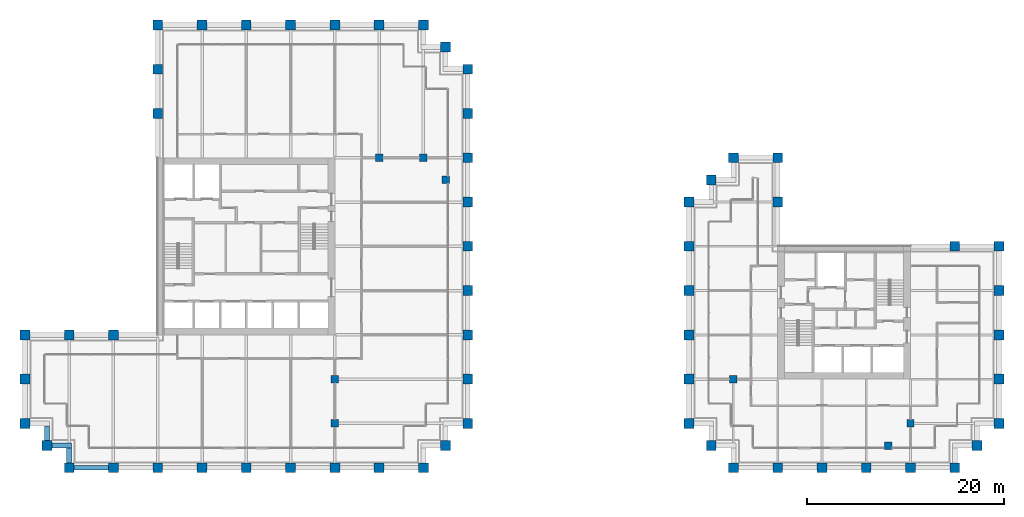
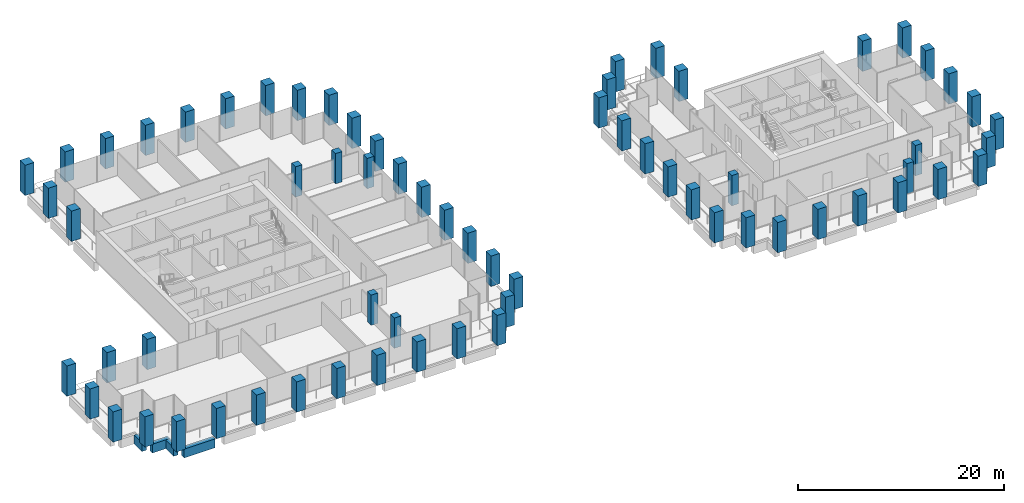
# One storey, part 1 of 47: 67 columns, 4 beams.
"""IFC4 building model written with IfcOpenShell, lengths in metres."""

import ifcopenshell
import ifcopenshell.guid

model = None  # the IFC model being written
_history = None  # IfcOwnerHistory: only IFC2X3 demands one
_inside = {}  # id of a spatial element -> (the spatial element, [elements in it])
_under = {}  # id of a project, library or spatial element -> (it, [spatial elements below it])
_declared = {}  # id of a project -> (the project, [libraries it declares])
_typed = {}  # id of a type object -> (the type object, [elements of that type])
_made_of = {}  # id of a material, layer set ... -> (it, [elements and type objects made of it])


def new_model(schema):
    """Start an empty IFC model of exactly this schema.

    Asked for "IFC4X3", IfcOpenShell would pick the latest addendum, in which some entities
    have other attributes; the version numbers below select the first issue.
    IFC2X3 requires an IfcOwnerHistory on every rooted entity: one is made here for all.
    """
    global model, _history
    if schema == "IFC4X3":
        model = ifcopenshell.file(schema_version=(4, 3, 0, 0))
    else:
        model = ifcopenshell.file(schema=schema)
    _inside.clear()
    _under.clear()
    _declared.clear()
    _typed.clear()
    _made_of.clear()
    _history = None
    if model.schema == "IFC2X3":
        org = make("IfcOrganization", Name="unknown")
        user = make(
            "IfcPersonAndOrganization",
            ThePerson=make("IfcPerson", FamilyName="unknown"),
            TheOrganization=org,
        )
        app = make(
            "IfcApplication",
            ApplicationDeveloper=org,
            Version="unknown",
            ApplicationFullName="unknown",
            ApplicationIdentifier="unknown",
        )
        _history = make(
            "IfcOwnerHistory",
            OwningUser=user,
            OwningApplication=app,
            ChangeAction="ADDED",
            CreationDate=0,
        )
    return model


def make(cls, **values):
    """One entity of the class cls with the attributes given. An attribute that is None is left unset."""
    return model.create_entity(
        cls, **{name: value for name, value in values.items() if value is not None}
    )


def rooted(cls, **values):
    """An entity with a GlobalId (a new one), such as an element, a storey or a relation."""
    return make(cls, GlobalId=ifcopenshell.guid.new(), OwnerHistory=_history, **values)


def si_unit(unit_type, name, prefix=None):
    """IfcSIUnit, for example si_unit("LENGTHUNIT", "METRE", prefix="MILLI")."""
    return make("IfcSIUnit", UnitType=unit_type, Prefix=prefix, Name=name)


def assignment(units):
    """IfcUnitAssignment: the units of a project."""
    return None if units is None else make("IfcUnitAssignment", Units=units)


def point(xyz):
    """IfcCartesianPoint."""
    return None if xyz is None else make("IfcCartesianPoint", Coordinates=xyz)


def direction(xyz):
    """IfcDirection."""
    return None if xyz is None else make("IfcDirection", DirectionRatios=xyz)


def frame(location, z_axis=None, x_axis=None):
    """IfcAxis2Placement3D, a coordinate frame: its origin and axes. An axis left out is left unset."""
    return make(
        "IfcAxis2Placement3D",
        Location=point(location),
        Axis=direction(z_axis),
        RefDirection=direction(x_axis),
    )


def frame_2d(location, x_axis=None):
    """IfcAxis2Placement2D, a coordinate frame in the plane: its origin and x axis."""
    return make(
        "IfcAxis2Placement2D", Location=point(location), RefDirection=direction(x_axis)
    )


def origin():
    """The frame at (0, 0, 0) with its axes left unset."""
    return frame((0.0, 0.0, 0.0))


def origin_2d():
    """The frame at (0, 0) in the plane with its x axis left unset."""
    return frame_2d((0.0, 0.0))


def place(relative_to, where):
    """IfcLocalPlacement: puts the frame where relative to a parent placement (None: the world)."""
    return make(
        "IfcLocalPlacement", PlacementRelTo=relative_to, RelativePlacement=where
    )


def context(
    kind, dimensions, precision=None, world=None, true_north=None, identifier=None
):
    """IfcGeometricRepresentationContext, for example the 3D "Model" context."""
    return make(
        "IfcGeometricRepresentationContext",
        ContextIdentifier=identifier,
        ContextType=kind,
        CoordinateSpaceDimension=dimensions,
        Precision=precision,
        WorldCoordinateSystem=world,
        TrueNorth=true_north,
    )


def subcontext(parent, identifier, kind, view, scale=None):
    """IfcGeometricRepresentationSubContext, for example "Body" below "Model"."""
    return make(
        "IfcGeometricRepresentationSubContext",
        ContextIdentifier=identifier,
        ContextType=kind,
        ParentContext=parent,
        TargetScale=scale,
        TargetView=view,
    )


def project(units=None, contexts=None):
    """IfcProject with its units and contexts."""
    return rooted(
        "IfcProject",
        Name="project",
        RepresentationContexts=contexts,
        UnitsInContext=assignment(units),
    )


def spatial(cls, under=None, at=None, **own):
    """A site, building, storey or space (cls), placed at a placement, below another one or the project."""
    s = rooted(cls, ObjectPlacement=at, **own)
    if under is not None:
        _under.setdefault(under.id(), (under, []))[1].append(s)
    return s


def profile(cls, at=None, kind="AREA", **sizes):
    """A parametric profile (cls). Its sizes go by their IFC names, for example OverallWidth=200.0."""
    return make(cls, ProfileType=kind, Position=at, **sizes)


def rectangle(**sizes):
    """IfcRectangleProfileDef."""
    return profile("IfcRectangleProfileDef", **sizes)


def extrude(swept, where, along, depth):
    """IfcExtrudedAreaSolid: the profile swept, set in the frame where, extruded along a direction by depth."""
    return make(
        "IfcExtrudedAreaSolid",
        SweptArea=swept,
        Position=where,
        ExtrudedDirection=direction(along),
        Depth=depth,
    )


def shape(context_of_items, identifier, shape_type, items):
    """IfcShapeRepresentation: the items that make up one representation, for example the "Body"."""
    return make(
        "IfcShapeRepresentation",
        ContextOfItems=context_of_items,
        RepresentationIdentifier=identifier,
        RepresentationType=shape_type,
        Items=items,
    )


def material(Name=None, Category=None):
    """IfcMaterial."""
    return make("IfcMaterial", Name=Name, Category=Category)


def material_profile(
    of_material, cross_section, Name=None, Category=None, Priority=None
):
    """IfcMaterialProfile: a cross section and its material."""
    return make(
        "IfcMaterialProfile",
        Name=Name,
        Material=of_material,
        Profile=cross_section,
        Priority=Priority,
        Category=Category,
    )


def profile_set(profiles, Name=None, composite=None):
    """IfcMaterialProfileSet."""
    return make(
        "IfcMaterialProfileSet",
        Name=Name,
        MaterialProfiles=profiles,
        CompositeProfile=composite,
    )


def made_of(thing, what):
    """Note that an element or type object is made of a material, layer set ...; save() writes the relation."""
    if what is not None:
        _made_of.setdefault(what.id(), (what, []))[1].append(thing)
    return thing


def type_object(cls, material=None, **own):
    """A type object (cls), such as IfcWallType, which elements share."""
    return made_of(rooted(cls, **own), material)


def element(
    cls,
    number,
    at=None,
    inside=None,
    cuts=None,
    type_object=None,
    material=None,
    context=None,
    identifier="Body",
    shape_type=None,
    held_by="IfcProductDefinitionShape",
    body=None,
    shapes=None,
    **own,
):
    """One element of the class cls, such as IfcWall. Its Tag is "e" and its number.

    at: its placement. inside: the storey or other place that contains it. cuts: it is an
    opening in that element (IfcRelVoidsElement). A single representation is given by context,
    identifier, shape_type and body (its items); several are given by shapes. held_by: the class
    of the entity that holds the representations. save() writes the other relations.
    """
    e = rooted(cls, Tag="e%d" % number, ObjectPlacement=at, **own)
    if body is not None:
        shapes = [shape(context, identifier, shape_type, body)]
    if shapes is not None:
        e.Representation = make(held_by, Representations=shapes)
    if inside is not None:
        _inside.setdefault(inside.id(), (inside, []))[1].append(e)
    if cuts is not None:
        rooted(
            "IfcRelVoidsElement", RelatingBuildingElement=cuts, RelatedOpeningElement=e
        )
    if type_object is not None:
        _typed.setdefault(type_object.id(), (type_object, []))[1].append(e)
    return made_of(e, material)


def aggregate(whole, parts):
    """IfcRelAggregates: a whole, such as a stair, and the parts it consists of."""
    return rooted("IfcRelAggregates", RelatingObject=whole, RelatedObjects=parts)


def save(model, path):
    """Write the relations noted so far, then the file.

    IfcRelAggregates (storeys below a building ...), IfcRelContainedInSpatialStructure (elements
    in a storey), IfcRelDefinesByType, IfcRelAssociatesMaterial and IfcRelDeclares: one each for
    every whole, place, type object, material and project.
    """
    for whole, parts in _under.values():
        aggregate(whole, parts)
    for where, things in _inside.values():
        rooted(
            "IfcRelContainedInSpatialStructure",
            RelatedElements=things,
            RelatingStructure=where,
        )
    for kind, things in _typed.values():
        rooted("IfcRelDefinesByType", RelatedObjects=things, RelatingType=kind)
    for what, things in _made_of.values():
        rooted("IfcRelAssociatesMaterial", RelatedObjects=things, RelatingMaterial=what)
    for by, libraries in _declared.values():
        rooted("IfcRelDeclares", RelatingContext=by, RelatedDefinitions=libraries)
    model.write(path)


model = new_model("IFC4")

# Units and contexts
model_context = context("Model", 3, precision=1e-05, world=origin(), true_north=direction((0.0, 1.0)))
body_context = subcontext(model_context, "Body", "Model", "MODEL_VIEW")
ifc_project = project(units=[si_unit("LENGTHUNIT", "METRE"), si_unit("AREAUNIT", "SQUARE_METRE"), si_unit("VOLUMEUNIT", "CUBIC_METRE"), si_unit("PLANEANGLEUNIT", "RADIAN"), si_unit("MASSUNIT", "GRAM", prefix="KILO")], contexts=[model_context])

# Site, building, storey
site_placement = place(None, origin())
site = spatial("IfcSite", under=ifc_project, at=site_placement, CompositionType="ELEMENT")
building_placement = place(site_placement, origin())
building = spatial("IfcBuilding", under=site, at=building_placement, Name="Altepetl Exchange Towers", CompositionType="ELEMENT")
storey_placement = place(building_placement, frame((0.0, 0.0, 99.199951171875)))
storey = spatial("IfcBuildingStorey", under=building, at=storey_placement, Name="L24", CompositionType="ELEMENT", Elevation=99.199951171875)

# Columns
ifc_material_1 = material(Name="Concrete C70/85", Category="concrete")
ifc_material_profile_1 = material_profile(ifc_material_1, rectangle(XDim=0.75, YDim=0.75, at=origin_2d()), Name="750 x 750")
ifc_profile_set_1 = profile_set([ifc_material_profile_1], Name="Concrete C70/85")
column_type_1 = type_object("IfcColumnType", Name="Interior column 750", PredefinedType="COLUMN", material=ifc_profile_set_1)
for number, where, name in (
    (1, (58.5, 31.5, 0.0), "col:A:L24:035"),
    (2, (58.5, 36.0, 0.0), "col:A:L24:036"),
    (3, (63.0, 58.5, 0.0), "col:A:L24:037"),
    (4, (67.5, 58.5, 0.0), "col:A:L24:038"),
    (5, (69.75, 56.25, 0.0), "col:A:L24:039"),
    (6, (99.0, 36.0, 0.0), "col:B:L24:024"),
    (7, (114.75, 29.25, 0.0), "col:B:L24:025"),
    (8, (117.0, 31.5, 0.0), "col:B:L24:026"),
):
    element("IfcColumn", number, at=place(storey_placement, frame(where)), inside=storey, type_object=column_type_1, Name=name, PredefinedType="COLUMN", context=body_context, shape_type="SweptSolid", body=[
        extrude(rectangle(XDim=0.75, YDim=0.75, at=origin_2d()), origin(), (0.0, 0.0, 1.0), 3.60009765625),
    ])
ifc_material_2 = material(Name="Concrete C70/85 precast with cantera amarilla facing", Category="concrete")
ifc_material_profile_2 = material_profile(ifc_material_2, rectangle(XDim=1.0, YDim=1.0, at=origin_2d()), Name="1000 x 1000")
ifc_profile_set_2 = profile_set([ifc_material_profile_2], Name="Concrete C70/85 precast with cantera amarilla facing")
column_type_2 = type_object("IfcColumnType", Name="Perimeter column 1000 cantera amarilla", PredefinedType="COLUMN", material=ifc_profile_set_2)
for number, where, name in (
    (9, (58.5, 27.0, 0.0), "col:A:L24:006"),
    (10, (63.0, 27.0, 0.0), "col:A:L24:007"),
    (11, (67.5, 27.0, 0.0), "col:A:L24:008"),
    (12, (69.75, 29.25, 0.0), "col:A:L24:009"),
    (13, (72.0, 31.5, 0.0), "col:A:L24:010"),
    (14, (72.0, 36.0, 0.0), "col:A:L24:011"),
    (15, (72.0, 40.5, 0.0), "col:A:L24:012"),
    (16, (72.0, 45.0, 0.0), "col:A:L24:013"),
    (17, (72.0, 49.5, 0.0), "col:A:L24:014"),
    (18, (72.0, 54.0, 0.0), "col:A:L24:015"),
    (19, (126.0, 49.5, 0.0), "col:B:L24:011"),
    (20, (121.5, 49.5, 0.0), "col:B:L24:012"),
):
    element("IfcColumn", number, at=place(storey_placement, frame(where)), inside=storey, type_object=column_type_2, Name=name, PredefinedType="COLUMN", context=body_context, shape_type="SweptSolid", body=[
        extrude(rectangle(XDim=1.0, YDim=1.0, at=origin_2d()), origin(), (0.0, 0.0, 1.0), 3.60009765625),
    ])
ifc_material_3 = material(Name="Concrete C70/85 precast with cantera blanca facing", Category="concrete")
ifc_material_profile_3 = material_profile(ifc_material_3, rectangle(XDim=1.0, YDim=1.0, at=origin_2d()), Name="1000 x 1000")
ifc_profile_set_3 = profile_set([ifc_material_profile_3], Name="Concrete C70/85 precast with cantera blanca facing")
column_type_3 = type_object("IfcColumnType", Name="Perimeter column 1000 cantera blanca", PredefinedType="COLUMN", material=ifc_profile_set_3)
for number, where, name in (
    (21, (31.5, 27.0, 0.0), "col:A:L24:000"),
    (22, (36.0, 27.0, 0.0), "col:A:L24:001"),
    (23, (40.5, 27.0, 0.0), "col:A:L24:002"),
    (24, (45.0, 27.0, 0.0), "col:A:L24:003"),
    (25, (49.5, 27.0, 0.0), "col:A:L24:004"),
    (26, (54.0, 27.0, 0.0), "col:A:L24:005"),
    (27, (27.0, 36.0, 0.0), "col:A:L24:032"),
    (28, (27.0, 31.5, 0.0), "col:A:L24:033"),
    (29, (29.25, 29.25, 0.0), "col:A:L24:034"),
    (30, (117.0, 27.0, 0.0), "col:B:L24:004"),
    (31, (121.5, 27.0, 0.0), "col:B:L24:005"),
    (32, (123.75, 29.25, 0.0), "col:B:L24:006"),
    (33, (126.0, 31.5, 0.0), "col:B:L24:007"),
    (34, (126.0, 36.0, 0.0), "col:B:L24:008"),
    (35, (126.0, 40.5, 0.0), "col:B:L24:009"),
    (36, (126.0, 45.0, 0.0), "col:B:L24:010"),
):
    element("IfcColumn", number, at=place(storey_placement, frame(where)), inside=storey, type_object=column_type_3, Name=name, PredefinedType="COLUMN", context=body_context, shape_type="SweptSolid", body=[
        extrude(rectangle(XDim=1.0, YDim=1.0, at=origin_2d()), origin(), (0.0, 0.0, 1.0), 3.60009765625),
    ])
ifc_material_4 = material(Name="Concrete C70/85 precast with cantera rosa facing", Category="concrete")
ifc_material_profile_4 = material_profile(ifc_material_4, rectangle(XDim=1.0, YDim=1.0, at=origin_2d()), Name="1000 x 1000")
ifc_profile_set_4 = profile_set([ifc_material_profile_4], Name="Concrete C70/85 precast with cantera rosa facing")
column_type_4 = type_object("IfcColumnType", Name="Perimeter column 1000 cantera rosa", PredefinedType="COLUMN", material=ifc_profile_set_4)
for number, where, name in (
    (37, (72.0, 58.5, 0.0), "col:A:L24:016"),
    (38, (72.0, 63.0, 0.0), "col:A:L24:017"),
    (39, (72.0, 67.5, 0.0), "col:A:L24:018"),
    (40, (69.75, 69.75, 0.0), "col:A:L24:019"),
    (41, (67.5, 72.0, 0.0), "col:A:L24:020"),
    (42, (63.0, 72.0, 0.0), "col:A:L24:021"),
    (43, (58.5, 72.0, 0.0), "col:A:L24:022"),
    (44, (54.0, 72.0, 0.0), "col:A:L24:023"),
    (45, (49.5, 72.0, 0.0), "col:A:L24:024"),
    (46, (45.0, 72.0, 0.0), "col:A:L24:025"),
    (47, (103.5, 54.0, 0.0), "col:B:L24:013"),
    (48, (103.5, 58.5, 0.0), "col:B:L24:014"),
    (49, (99.0, 58.5, 0.0), "col:B:L24:015"),
    (50, (96.75, 56.25, 0.0), "col:B:L24:016"),
    (51, (94.5, 54.0, 0.0), "col:B:L24:017"),
    (52, (94.5, 49.5, 0.0), "col:B:L24:018"),
    (53, (94.5, 45.0, 0.0), "col:B:L24:019"),
    (54, (94.5, 40.5, 0.0), "col:B:L24:020"),
    (55, (94.5, 36.0, 0.0), "col:B:L24:021"),
):
    element("IfcColumn", number, at=place(storey_placement, frame(where)), inside=storey, type_object=column_type_4, Name=name, PredefinedType="COLUMN", context=body_context, shape_type="SweptSolid", body=[
        extrude(rectangle(XDim=1.0, YDim=1.0, at=origin_2d()), origin(), (0.0, 0.0, 1.0), 3.60009765625),
    ])
ifc_material_5 = material(Name="Concrete C70/85 precast with tezontle facing", Category="concrete")
ifc_material_profile_5 = material_profile(ifc_material_5, rectangle(XDim=1.0, YDim=1.0, at=origin_2d()), Name="1000 x 1000")
ifc_profile_set_5 = profile_set([ifc_material_profile_5], Name="Concrete C70/85 precast with tezontle facing")
column_type_5 = type_object("IfcColumnType", Name="Perimeter column 1000 tezontle", PredefinedType="COLUMN", material=ifc_profile_set_5)
for number, where, name in (
    (56, (40.5, 72.0, 0.0), "col:A:L24:026"),
    (57, (40.5, 67.5, 0.0), "col:A:L24:027"),
    (58, (40.5, 63.0, 0.0), "col:A:L24:028"),
    (59, (36.0, 40.5, 0.0), "col:A:L24:029"),
    (60, (31.5, 40.5, 0.0), "col:A:L24:030"),
    (61, (27.0, 40.5, 0.0), "col:A:L24:031"),
    (62, (99.0, 27.0, 0.0), "col:B:L24:000"),
    (63, (103.5, 27.0, 0.0), "col:B:L24:001"),
    (64, (108.0, 27.0, 0.0), "col:B:L24:002"),
    (65, (112.5, 27.0, 0.0), "col:B:L24:003"),
    (66, (94.5, 31.5, 0.0), "col:B:L24:022"),
    (67, (96.75, 29.25, 0.0), "col:B:L24:023"),
):
    element("IfcColumn", number, at=place(storey_placement, frame(where)), inside=storey, type_object=column_type_5, Name=name, PredefinedType="COLUMN", context=body_context, shape_type="SweptSolid", body=[
        extrude(rectangle(XDim=1.0, YDim=1.0, at=origin_2d()), origin(), (0.0, 0.0, 1.0), 3.60009765625),
    ])

# Beams
ifc_material_6 = material(Name="Concrete C50/60 precast with cantera blanca facing", Category="concrete")
ifc_material_profile_6 = material_profile(ifc_material_6, rectangle(XDim=0.5, YDim=1.050048828125, at=origin_2d()), Name="500 x 1050")
ifc_profile_set_6 = profile_set([ifc_material_profile_6], Name="Concrete C50/60 precast with cantera blanca facing")
beam_type = type_object("IfcBeamType", Name="Spandrel beam 500x1050 cantera blanca", PredefinedType="SPANDREL", material=ifc_profile_set_6)
beam_1_placement = place(storey_placement, frame((32.0, 27.0, -0.675048828125), z_axis=(1.0, 0.0, 0.0), x_axis=(0.0, 1.0, 0.0)))
element("IfcBeam", 68, at=beam_1_placement, inside=storey, type_object=beam_type, Name="sp:A:L24:000", PredefinedType="SPANDREL", context=body_context, shape_type="SweptSolid", body=[
    extrude(rectangle(XDim=0.5, YDim=1.050048828125, at=origin_2d()), origin(), (0.0, 0.0, 1.0), 3.5),
])
beam_2_placement = place(storey_placement, frame((29.25, 31.25, -0.675048828125), z_axis=(0.0, -1.0, 0.0), x_axis=(1.0, 0.0, 0.0)))
element("IfcBeam", 69, at=beam_2_placement, inside=storey, type_object=beam_type, Name="sp:A:L24:039", PredefinedType="SPANDREL", context=body_context, shape_type="SweptSolid", body=[
    extrude(rectangle(XDim=0.5, YDim=1.050048828125, at=origin_2d()), origin(), (0.0, 0.0, 1.0), 1.5),
])
beam_3_placement = place(storey_placement, frame((29.75, 29.25, -0.675048828125), z_axis=(1.0, 0.0, 0.0), x_axis=(0.0, 1.0, 0.0)))
element("IfcBeam", 70, at=beam_3_placement, inside=storey, type_object=beam_type, Name="sp:A:L24:040", PredefinedType="SPANDREL", context=body_context, shape_type="SweptSolid", body=[
    extrude(rectangle(XDim=0.5, YDim=1.050048828125, at=origin_2d()), origin(), (0.0, 0.0, 1.0), 2.0),
])
beam_4_placement = place(storey_placement, frame((31.5, 29.0, -0.675048828125), z_axis=(0.0, -1.0, 0.0), x_axis=(1.0, 0.0, 0.0)))
element("IfcBeam", 71, at=beam_4_placement, inside=storey, type_object=beam_type, Name="sp:A:L24:041", PredefinedType="SPANDREL", context=body_context, shape_type="SweptSolid", body=[
    extrude(rectangle(XDim=0.5, YDim=1.050048828125, at=origin_2d()), origin(), (0.0, 0.0, 1.0), 1.5),
])

save(model, "model.ifc")
